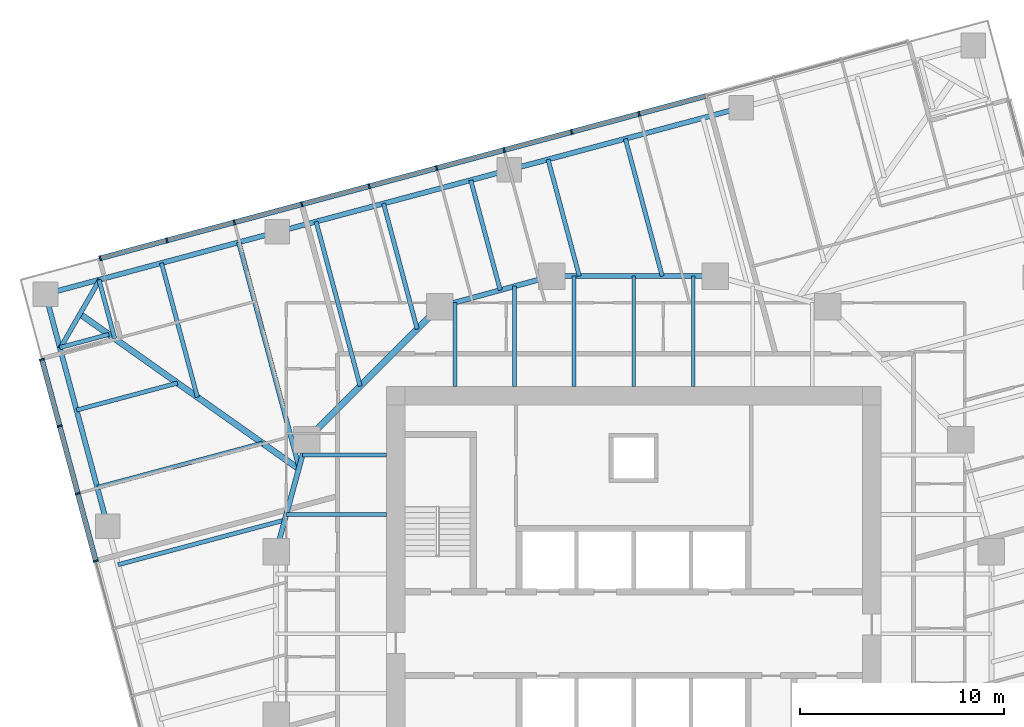
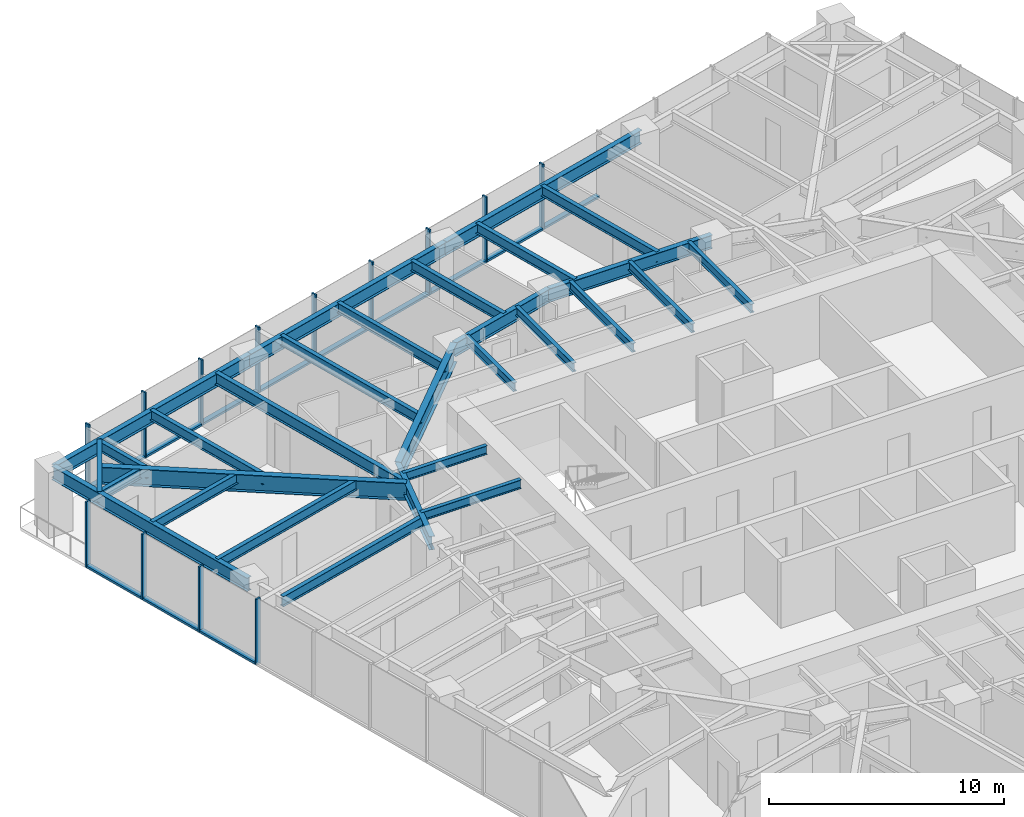
# One storey, part 5 of 14: 29 beams, 25 members, 2 elements without a shape of their own.
"""IFC4 building model written with IfcOpenShell, lengths in metres."""

from ifc_helpers import new_model, si_unit, direction, frame, origin, origin_2d, place, context, subcontext, project, spatial, rectangle, i_section, extrude, material, material_profile, profile_set, type_object, element, aggregate, save


model = new_model("IFC4")

# Units and contexts
model_context = context("Model", 3, precision=1e-05, world=origin(), true_north=direction((0.0, 1.0)))
body_context = subcontext(model_context, "Body", "Model", "MODEL_VIEW")
ifc_project = project(units=[si_unit("LENGTHUNIT", "METRE"), si_unit("AREAUNIT", "SQUARE_METRE"), si_unit("VOLUMEUNIT", "CUBIC_METRE"), si_unit("PLANEANGLEUNIT", "RADIAN"), si_unit("MASSUNIT", "GRAM", prefix="KILO")], contexts=[model_context])

# Site, building, storey
site_placement = place(None, origin())
site = spatial("IfcSite", under=ifc_project, at=site_placement, CompositionType="ELEMENT")
building_placement = place(site_placement, origin())
building = spatial("IfcBuilding", under=site, at=building_placement, Name="Torsade Residences", CompositionType="ELEMENT")
storey_placement = place(building_placement, frame((0.0, 0.0, 121.800048828125)))
storey = spatial("IfcBuildingStorey", under=building, at=storey_placement, Name="L33", CompositionType="ELEMENT", Elevation=121.800048828125)

# Beams
ifc_material_1 = material(Name="Steel grade 300", Category="steel")
ifc_material_profile_1 = material_profile(ifc_material_1, i_section(OverallWidth=0.300048828125, OverallDepth=0.89990234375, WebThickness=0.011962890625, FlangeThickness=0.02490234375, at=origin_2d()), Name="900WB175")
ifc_profile_set_1 = profile_set([ifc_material_profile_1], Name="Steel grade 300")
beam_type_1 = type_object("IfcBeamType", Name="CORNER GIRDER 900WB175", PredefinedType="BEAM", material=ifc_profile_set_1)
beam_1_placement = place(storey_placement, frame((12.902587890625, 45.644775390625, 2.800048828125), z_axis=(0.816261084801, -0.577683167004, 0.0), x_axis=(0.577683167004, 0.816261084801, 0.0)))
element("IfcBeam", 1, at=beam_1_placement, inside=storey, type_object=beam_type_1, Name="Corner girder 13 L34", PredefinedType="BEAM", context=body_context, shape_type="SweptSolid", body=[
    extrude(i_section(OverallWidth=0.300048828125, OverallDepth=0.89990234375, WebThickness=0.011962890625, FlangeThickness=0.02490234375, at=origin_2d()), origin(), (0.0, 0.0, 1.0), 13.116943359375),
])
ifc_material_2 = material(Name="Steel grade 300", Category="steel")
ifc_material_profile_2 = material_profile(ifc_material_2, i_section(OverallWidth=0.22802734375, OverallDepth=0.60205078125, WebThickness=0.010498046875, FlangeThickness=0.014892578125, FilletRadius=0.013916015625, at=origin_2d()), Name="610UB101")
ifc_profile_set_2 = profile_set([ifc_material_profile_2], Name="Steel grade 300")
beam_type_2 = type_object("IfcBeamType", Name="CORNER TRIMMER 610UB101", PredefinedType="BEAM", material=ifc_profile_set_2)
beam_2_placement = place(storey_placement, frame((11.93017578125, 43.960693359375, 2.948974609375), z_axis=(0.499994147244, 0.866028782848, 0.0), x_axis=(-0.866028782848, 0.499994147244, 0.0)))
element("IfcBeam", 2, at=beam_2_placement, inside=storey, type_object=beam_type_2, Name="Corner trimmer 13 L34", PredefinedType="BEAM", context=body_context, shape_type="SweptSolid", body=[
    extrude(i_section(OverallWidth=0.22802734375, OverallDepth=0.60205078125, WebThickness=0.010498046875, FlangeThickness=0.014892578125, FilletRadius=0.013916015625, at=origin_2d()), origin(), (0.0, 0.0, 1.0), 3.88916015625),
])
ifc_material_3 = material(Name="Steel grade 300", Category="steel")
ifc_material_profile_3 = material_profile(ifc_material_3, i_section(OverallWidth=0.25, OverallDepth=0.699951171875, WebThickness=0.010009765625, FlangeThickness=0.02001953125, at=origin_2d()), Name="700WB130")
ifc_profile_set_3 = profile_set([ifc_material_profile_3], Name="Steel grade 300")
beam_type_3 = type_object("IfcBeamType", Name="EDGE BEAM 700WB130", PredefinedType="SPANDREL", material=ifc_profile_set_3)
for number, where, z_axis, x_axis, name in (
    (3, (45.267333984375, 55.740478515625, 2.89990234375), (-0.965922824118, -0.258830249097, 0.0), (0.258830249097, -0.965922824118, 0.0), "Edge beam 10 L34"),
    (4, (33.917724609375, 52.69921875, 2.89990234375), (-0.965928018634, -0.258810863021, 0.0), (0.258810863021, -0.965928018634, 0.0), "Edge beam 11 L34"),
    (5, (22.568115234375, 49.658203125, 2.89990234375), (-0.965922824118, -0.258830249097, 0.0), (0.258830249097, -0.965922824118, 0.0), "Edge beam 12 L34"),
    (6, (11.218505859375, 46.616943359375, 2.89990234375), (0.258810863021, -0.965928018634, 0.0), (0.965928018634, 0.258810863021, 0.0), "Edge beam 13 L34"),
):
    element("IfcBeam", number, at=place(storey_placement, frame(where, z_axis=z_axis, x_axis=x_axis)), inside=storey, type_object=beam_type_3, Name=name, PredefinedType="SPANDREL", context=body_context, shape_type="SweptSolid", body=[
        extrude(i_section(OverallWidth=0.25, OverallDepth=0.699951171875, WebThickness=0.010009765625, FlangeThickness=0.02001953125, at=origin_2d()), origin(), (0.0, 0.0, 1.0), 11.75),
    ])
ifc_material_4 = material(Name="Steel grade 300", Category="steel")
ifc_material_profile_4 = material_profile(ifc_material_4, i_section(OverallWidth=0.18994140625, OverallDepth=0.4541015625, WebThickness=0.008544921875, FlangeThickness=0.0126953125, FilletRadius=0.011474609375, at=origin_2d()), Name="460UB67.1")
ifc_profile_set_4 = profile_set([ifc_material_profile_4], Name="Steel grade 300")
beam_type_4 = type_object("IfcBeamType", Name="INNER FLOOR BEAM 460UB67.1", PredefinedType="JOIST", material=ifc_profile_set_4)
beam_3_placement = place(storey_placement, frame((31.262451171875, 42.10009765625, 3.02294921875), z_axis=(0.0, 1.0, 0.0), x_axis=(-1.0, 0.0, 0.0)))
element("IfcBeam", 7, at=beam_3_placement, inside=storey, type_object=beam_type_4, Name="Inner floor beam IN01 L34", PredefinedType="JOIST", context=body_context, shape_type="SweptSolid", body=[
    extrude(i_section(OverallWidth=0.18994140625, OverallDepth=0.4541015625, WebThickness=0.008544921875, FlangeThickness=0.0126953125, FilletRadius=0.011474609375, at=origin_2d()), origin(), (0.0, 0.0, 1.0), 4.10791015625),
])
beam_4_placement = place(storey_placement, frame((34.175048828125, 42.10009765625, 3.02294921875), z_axis=(0.0, 1.0, 0.0), x_axis=(-1.0, 0.0, 0.0)))
element("IfcBeam", 8, at=beam_4_placement, inside=storey, type_object=beam_type_4, Name="Inner floor beam IN02 L34", PredefinedType="JOIST", context=body_context, shape_type="SweptSolid", body=[
    extrude(i_section(OverallWidth=0.18994140625, OverallDepth=0.4541015625, WebThickness=0.008544921875, FlangeThickness=0.0126953125, FilletRadius=0.011474609375, at=origin_2d()), origin(), (0.0, 0.0, 1.0), 4.902099609375),
])
for number, where, z_axis, x_axis, name in (
    (9, (37.08740234375, 42.10009765625, 3.02294921875), (0.0, 1.0, 0.0), (-1.0, 0.0, 0.0), "Inner floor beam IN03 L34"),
    (10, (40.0, 42.10009765625, 3.02294921875), (0.0, 1.0, 0.0), (-1.0, 0.0, 0.0), "Inner floor beam IN04 L34"),
    (11, (42.91259765625, 42.10009765625, 3.02294921875), (0.0, 1.0, 0.0), (-1.0, 0.0, 0.0), "Inner floor beam IN05 L34"),
):
    element("IfcBeam", number, at=place(storey_placement, frame(where, z_axis=z_axis, x_axis=x_axis)), inside=storey, type_object=beam_type_4, Name=name, PredefinedType="JOIST", context=body_context, shape_type="SweptSolid", body=[
        extrude(i_section(OverallWidth=0.18994140625, OverallDepth=0.4541015625, WebThickness=0.008544921875, FlangeThickness=0.0126953125, FilletRadius=0.011474609375, at=origin_2d()), origin(), (0.0, 0.0, 1.0), 5.39990234375),
    ])
beam_5_placement = place(storey_placement, frame((27.89990234375, 38.737548828125, 3.02294921875), z_axis=(-1.0, 0.0, 0.0), x_axis=(0.0, -1.0, 0.0)))
element("IfcBeam", 12, at=beam_5_placement, inside=storey, type_object=beam_type_4, Name="Inner floor beam IW01 L34", PredefinedType="JOIST", context=body_context, shape_type="SweptSolid", body=[
    extrude(i_section(OverallWidth=0.18994140625, OverallDepth=0.4541015625, WebThickness=0.008544921875, FlangeThickness=0.0126953125, FilletRadius=0.011474609375, at=origin_2d()), origin(), (0.0, 0.0, 1.0), 4.10791015625),
])
beam_6_placement = place(storey_placement, frame((27.89990234375, 35.824951171875, 3.02294921875), z_axis=(-1.0, 0.0, 0.0), x_axis=(0.0, -1.0, 0.0)))
element("IfcBeam", 13, at=beam_6_placement, inside=storey, type_object=beam_type_4, Name="Inner floor beam IW02 L34", PredefinedType="JOIST", context=body_context, shape_type="SweptSolid", body=[
    extrude(i_section(OverallWidth=0.18994140625, OverallDepth=0.4541015625, WebThickness=0.008544921875, FlangeThickness=0.0126953125, FilletRadius=0.011474609375, at=origin_2d()), origin(), (0.0, 0.0, 1.0), 4.902099609375),
])

# Curtain wall, members
ifc_material_5 = material(Name="Aluminium and glass", Category="aluminium")
curtain_wall_type = type_object("IfcCurtainWallType", Name="FRITTED GLASS CURTAIN WALL MID ZONE", PredefinedType="NOTDEFINED", material=ifc_material_5)
curtain_wall_1_placement = place(storey_placement, origin())
curtain_wall_1 = element("IfcCurtainWall", 14, at=curtain_wall_1_placement, inside=storey, type_object=curtain_wall_type, Name="Curtain wall L33 face 7", PredefinedType="NOTDEFINED")
ifc_material_6 = material(Name="Aluminium mullion", Category="aluminium")
ifc_material_profile_5 = material_profile(ifc_material_6, rectangle(XDim=0.25, YDim=0.080078125, at=origin_2d()), Name="MID ZONE CURTAIN WALL MULLION 250x80")
ifc_profile_set_5 = profile_set([ifc_material_profile_5], Name="Aluminium mullion")
member_type_1 = type_object("IfcMemberType", Name="MID ZONE CURTAIN WALL MULLION 250x80", PredefinedType="MULLION", material=ifc_profile_set_5)
member_1_placement = place(storey_placement, frame((40.259521484375, 55.433837890625, 0.0), z_axis=(0.0, 0.0, 1.0), x_axis=(0.258819047783, -0.965925825571, 0.0)))
member_1 = element("IfcMember", 15, at=member_1_placement, type_object=member_type_1, Name="Mullion 5", PredefinedType="MULLION", context=body_context, shape_type="SweptSolid", body=[
    extrude(rectangle(XDim=0.25, YDim=0.080078125, at=origin_2d()), origin(), (0.0, 0.0, 1.0), 3.39990234375),
])
member_2_placement = place(storey_placement, frame((36.959228515625, 54.549560546875, 0.0), z_axis=(0.0, 0.0, 1.0), x_axis=(0.258819047783, -0.965925825571, 0.0)))
member_2 = element("IfcMember", 16, at=member_2_placement, type_object=member_type_1, Name="Mullion 6", PredefinedType="MULLION", context=body_context, shape_type="SweptSolid", body=[
    extrude(rectangle(XDim=0.25, YDim=0.080078125, at=origin_2d()), origin(), (0.0, 0.0, 1.0), 3.39990234375),
])
member_3_placement = place(storey_placement, frame((33.658935546875, 53.665283203125, 0.0), z_axis=(0.0, 0.0, 1.0), x_axis=(0.258819047783, -0.965925825571, 0.0)))
member_3 = element("IfcMember", 17, at=member_3_placement, type_object=member_type_1, Name="Mullion 7", PredefinedType="MULLION", context=body_context, shape_type="SweptSolid", body=[
    extrude(rectangle(XDim=0.25, YDim=0.080078125, at=origin_2d()), origin(), (0.0, 0.0, 1.0), 3.39990234375),
])
member_4_placement = place(storey_placement, frame((30.358642578125, 52.781005859375, 0.0), z_axis=(0.0, 0.0, 1.0), x_axis=(0.258819047783, -0.965925825571, 0.0)))
member_4 = element("IfcMember", 18, at=member_4_placement, type_object=member_type_1, Name="Mullion 8", PredefinedType="MULLION", context=body_context, shape_type="SweptSolid", body=[
    extrude(rectangle(XDim=0.25, YDim=0.080078125, at=origin_2d()), origin(), (0.0, 0.0, 1.0), 3.39990234375),
])
member_5_placement = place(storey_placement, frame((27.058349609375, 51.896484375, 0.0), z_axis=(0.0, 0.0, 1.0), x_axis=(0.258819047783, -0.965925825571, 0.0)))
member_5 = element("IfcMember", 19, at=member_5_placement, type_object=member_type_1, Name="Mullion 9", PredefinedType="MULLION", context=body_context, shape_type="SweptSolid", body=[
    extrude(rectangle(XDim=0.25, YDim=0.080078125, at=origin_2d()), origin(), (0.0, 0.0, 1.0), 3.39990234375),
])
member_6_placement = place(storey_placement, frame((23.75830078125, 51.01220703125, 0.0), z_axis=(0.0, 0.0, 1.0), x_axis=(0.258819047783, -0.965925825571, 0.0)))
member_6 = element("IfcMember", 20, at=member_6_placement, type_object=member_type_1, Name="Mullion 10", PredefinedType="MULLION", context=body_context, shape_type="SweptSolid", body=[
    extrude(rectangle(XDim=0.25, YDim=0.080078125, at=origin_2d()), origin(), (0.0, 0.0, 1.0), 3.39990234375),
])
member_7_placement = place(storey_placement, frame((20.4580078125, 50.1279296875, 0.0), z_axis=(0.0, 0.0, 1.0), x_axis=(0.258819047783, -0.965925825571, 0.0)))
member_7 = element("IfcMember", 21, at=member_7_placement, type_object=member_type_1, Name="Mullion 11", PredefinedType="MULLION", context=body_context, shape_type="SweptSolid", body=[
    extrude(rectangle(XDim=0.25, YDim=0.080078125, at=origin_2d()), origin(), (0.0, 0.0, 1.0), 3.39990234375),
])
member_8_placement = place(storey_placement, frame((17.15771484375, 49.24365234375, 0.0), z_axis=(0.0, 0.0, 1.0), x_axis=(0.258819047783, -0.965925825571, 0.0)))
member_8 = element("IfcMember", 22, at=member_8_placement, type_object=member_type_1, Name="Mullion 12", PredefinedType="MULLION", context=body_context, shape_type="SweptSolid", body=[
    extrude(rectangle(XDim=0.25, YDim=0.080078125, at=origin_2d()), origin(), (0.0, 0.0, 1.0), 3.39990234375),
])
member_9_placement = place(storey_placement, frame((13.89599609375, 48.36962890625, 0.0), z_axis=(0.0, 0.0, 1.0), x_axis=(0.258819047783, -0.965925825571, 0.0)))
member_9 = element("IfcMember", 23, at=member_9_placement, type_object=member_type_1, Name="Mullion 13", PredefinedType="MULLION", context=body_context, shape_type="SweptSolid", body=[
    extrude(rectangle(XDim=0.25, YDim=0.080078125, at=origin_2d()), origin(), (0.0, 0.0, 1.0), 3.39990234375),
])

curtain_wall_2_placement = place(storey_placement, origin())
curtain_wall_2 = element("IfcCurtainWall", 24, at=curtain_wall_2_placement, inside=storey, type_object=curtain_wall_type, Name="Curtain wall L33 face 10", PredefinedType="NOTDEFINED")
member_10_placement = place(storey_placement, frame((11.039306640625, 43.421875, 0.0), z_axis=(0.0, 0.0, 1.0), x_axis=(0.965925825571, 0.258819047783, 0.0)))
member_10 = element("IfcMember", 25, at=member_10_placement, type_object=member_type_1, Name="Mullion 1", PredefinedType="MULLION", context=body_context, shape_type="SweptSolid", body=[
    extrude(rectangle(XDim=0.25, YDim=0.080078125, at=origin_2d()), origin(), (0.0, 0.0, 1.0), 3.39990234375),
])
member_11_placement = place(storey_placement, frame((11.913330078125, 40.16015625, 0.0), z_axis=(0.0, 0.0, 1.0), x_axis=(0.965925825571, 0.258819047783, 0.0)))
member_11 = element("IfcMember", 26, at=member_11_placement, type_object=member_type_1, Name="Mullion 2", PredefinedType="MULLION", context=body_context, shape_type="SweptSolid", body=[
    extrude(rectangle(XDim=0.25, YDim=0.080078125, at=origin_2d()), origin(), (0.0, 0.0, 1.0), 3.39990234375),
])
member_12_placement = place(storey_placement, frame((12.797607421875, 36.85986328125, 0.0), z_axis=(0.0, 0.0, 1.0), x_axis=(0.965925825571, 0.258819047783, 0.0)))
member_12 = element("IfcMember", 27, at=member_12_placement, type_object=member_type_1, Name="Mullion 3", PredefinedType="MULLION", context=body_context, shape_type="SweptSolid", body=[
    extrude(rectangle(XDim=0.25, YDim=0.080078125, at=origin_2d()), origin(), (0.0, 0.0, 1.0), 3.39990234375),
])
member_13_placement = place(storey_placement, frame((13.681884765625, 33.5595703125, 0.0), z_axis=(0.0, 0.0, 1.0), x_axis=(0.965925825571, 0.258819047783, 0.0)))
member_13 = element("IfcMember", 28, at=member_13_placement, type_object=member_type_1, Name="Mullion 4", PredefinedType="MULLION", context=body_context, shape_type="SweptSolid", body=[
    extrude(rectangle(XDim=0.25, YDim=0.080078125, at=origin_2d()), origin(), (0.0, 0.0, 1.0), 3.39990234375),
])

# Member
ifc_material_7 = material(Name="Aluminium transom", Category="aluminium")
ifc_material_profile_6 = material_profile(ifc_material_7, rectangle(XDim=0.25, YDim=0.110107421875, at=origin_2d()), Name="MID ZONE CURTAIN WALL TRANSOM 250x110")
ifc_profile_set_6 = profile_set([ifc_material_profile_6], Name="Aluminium transom")
member_type_2 = type_object("IfcMemberType", Name="MID ZONE CURTAIN WALL TRANSOM 250x110", PredefinedType="USERDEFINED", material=ifc_profile_set_6)
member_14_placement = place(storey_placement, frame((43.52099609375, 56.3076171875, 0.054931640625), z_axis=(-0.965929435155, -0.258805576255, 0.0), x_axis=(0.258805576255, -0.965929435155, 0.0)))
member_14 = element("IfcMember", 29, at=member_14_placement, type_object=member_type_2, Name="Transom 4.1", ObjectType="TRANSOM", PredefinedType="USERDEFINED", context=body_context, shape_type="SweptSolid", body=[
    extrude(rectangle(XDim=0.25, YDim=0.110107421875, at=origin_2d()), origin(), (0.0, 0.0, 1.0), 3.336669921875),
])

member_15_placement = place(storey_placement, frame((40.220703125, 55.42333984375, 0.054931640625), z_axis=(-0.965929435155, -0.258805576255, 0.0), x_axis=(0.258805576255, -0.965929435155, 0.0)))
member_15 = element("IfcMember", 30, at=member_15_placement, type_object=member_type_2, Name="Transom 5.1", ObjectType="TRANSOM", PredefinedType="USERDEFINED", context=body_context, shape_type="SweptSolid", body=[
    extrude(rectangle(XDim=0.25, YDim=0.110107421875, at=origin_2d()), origin(), (0.0, 0.0, 1.0), 3.336669921875),
])

member_16_placement = place(storey_placement, frame((36.920654296875, 54.5390625, 0.054931640625), z_axis=(-0.965934335648, -0.258787285653, 0.0), x_axis=(0.258787285653, -0.965934335648, 0.0)))
member_16 = element("IfcMember", 31, at=member_16_placement, type_object=member_type_2, Name="Transom 6.1", ObjectType="TRANSOM", PredefinedType="USERDEFINED", context=body_context, shape_type="SweptSolid", body=[
    extrude(rectangle(XDim=0.25, YDim=0.110107421875, at=origin_2d()), origin(), (0.0, 0.0, 1.0), 3.3369140625),
])

member_17_placement = place(storey_placement, frame((33.620361328125, 53.65478515625, 0.054931640625), z_axis=(-0.965934335648, -0.258787285653, 0.0), x_axis=(0.258787285653, -0.965934335648, 0.0)))
member_17 = element("IfcMember", 32, at=member_17_placement, type_object=member_type_2, Name="Transom 7.1", ObjectType="TRANSOM", PredefinedType="USERDEFINED", context=body_context, shape_type="SweptSolid", body=[
    extrude(rectangle(XDim=0.25, YDim=0.110107421875, at=origin_2d()), origin(), (0.0, 0.0, 1.0), 3.3369140625),
])

member_18_placement = place(storey_placement, frame((30.320068359375, 52.7705078125, 0.054931640625), z_axis=(-0.965929435155, -0.258805576255, 0.0), x_axis=(0.258805576255, -0.965929435155, 0.0)))
member_18 = element("IfcMember", 33, at=member_18_placement, type_object=member_type_2, Name="Transom 8.1", ObjectType="TRANSOM", PredefinedType="USERDEFINED", context=body_context, shape_type="SweptSolid", body=[
    extrude(rectangle(XDim=0.25, YDim=0.110107421875, at=origin_2d()), origin(), (0.0, 0.0, 1.0), 3.336669921875),
])

member_19_placement = place(storey_placement, frame((27.019775390625, 51.88623046875, 0.054931640625), z_axis=(-0.965929435155, -0.258805576255, 0.0), x_axis=(0.258805576255, -0.965929435155, 0.0)))
member_19 = element("IfcMember", 34, at=member_19_placement, type_object=member_type_2, Name="Transom 9.1", ObjectType="TRANSOM", PredefinedType="USERDEFINED", context=body_context, shape_type="SweptSolid", body=[
    extrude(rectangle(XDim=0.25, YDim=0.110107421875, at=origin_2d()), origin(), (0.0, 0.0, 1.0), 3.336669921875),
])

member_20_placement = place(storey_placement, frame((23.719482421875, 51.001953125, 0.054931640625), z_axis=(-0.965929435155, -0.258805576255, 0.0), x_axis=(0.258805576255, -0.965929435155, 0.0)))
member_20 = element("IfcMember", 35, at=member_20_placement, type_object=member_type_2, Name="Transom 10.1", ObjectType="TRANSOM", PredefinedType="USERDEFINED", context=body_context, shape_type="SweptSolid", body=[
    extrude(rectangle(XDim=0.25, YDim=0.110107421875, at=origin_2d()), origin(), (0.0, 0.0, 1.0), 3.336669921875),
])

member_21_placement = place(storey_placement, frame((20.419189453125, 50.11767578125, 0.054931640625), z_axis=(-0.965929435155, -0.258805576255, 0.0), x_axis=(0.258805576255, -0.965929435155, 0.0)))
member_21 = element("IfcMember", 36, at=member_21_placement, type_object=member_type_2, Name="Transom 11.1", ObjectType="TRANSOM", PredefinedType="USERDEFINED", context=body_context, shape_type="SweptSolid", body=[
    extrude(rectangle(XDim=0.25, YDim=0.110107421875, at=origin_2d()), origin(), (0.0, 0.0, 1.0), 3.336669921875),
])

member_22_placement = place(storey_placement, frame((17.119140625, 49.2333984375, 0.054931640625), z_axis=(-0.965923258633, -0.258828627534, 0.0), x_axis=(0.258828627534, -0.965923258633, 0.0)))
member_22 = element("IfcMember", 37, at=member_22_placement, type_object=member_type_2, Name="Transom 12.1", ObjectType="TRANSOM", PredefinedType="USERDEFINED", context=body_context, shape_type="SweptSolid", body=[
    extrude(rectangle(XDim=0.25, YDim=0.110107421875, at=origin_2d()), origin(), (0.0, 0.0, 1.0), 3.296630859375),
])

aggregate(curtain_wall_1, [member_1, member_2, member_3, member_4, member_5, member_6, member_7, member_8, member_9, member_14, member_15, member_16, member_17, member_18, member_19, member_20, member_21, member_22])

member_23_placement = place(storey_placement, frame((11.0498046875, 43.383056640625, 0.054931640625), z_axis=(0.258828627534, -0.965923258633, 0.0), x_axis=(0.965923258633, 0.258828627534, 0.0)))
member_23 = element("IfcMember", 38, at=member_23_placement, type_object=member_type_2, Name="Transom 1.1", ObjectType="TRANSOM", PredefinedType="USERDEFINED", context=body_context, shape_type="SweptSolid", body=[
    extrude(rectangle(XDim=0.25, YDim=0.110107421875, at=origin_2d()), origin(), (0.0, 0.0, 1.0), 3.296630859375),
])

member_24_placement = place(storey_placement, frame((11.923583984375, 40.12158203125, 0.054931640625), z_axis=(0.258855549498, -0.965916044226, 0.0), x_axis=(0.965916044226, 0.258855549498, 0.0)))
member_24 = element("IfcMember", 39, at=member_24_placement, type_object=member_type_2, Name="Transom 2.1", ObjectType="TRANSOM", PredefinedType="USERDEFINED", context=body_context, shape_type="SweptSolid", body=[
    extrude(rectangle(XDim=0.25, YDim=0.110107421875, at=origin_2d()), origin(), (0.0, 0.0, 1.0), 3.3369140625),
])

member_25_placement = place(storey_placement, frame((12.807861328125, 36.8212890625, 0.054931640625), z_axis=(0.258873844232, -0.96591114124, 0.0), x_axis=(0.96591114124, 0.258873844232, 0.0)))
member_25 = element("IfcMember", 40, at=member_25_placement, type_object=member_type_2, Name="Transom 3.1", ObjectType="TRANSOM", PredefinedType="USERDEFINED", context=body_context, shape_type="SweptSolid", body=[
    extrude(rectangle(XDim=0.25, YDim=0.110107421875, at=origin_2d()), origin(), (0.0, 0.0, 1.0), 3.336669921875),
])

aggregate(curtain_wall_2, [member_10, member_11, member_12, member_13, member_23, member_24, member_25])

# Beams
ifc_material_8 = material(Name="Steel grade 300", Category="steel")
ifc_material_profile_7 = material_profile(ifc_material_8, i_section(OverallWidth=0.300048828125, OverallDepth=1.0, WebThickness=0.01611328125, FlangeThickness=0.028076171875, at=origin_2d()), Name="1000WB215")
ifc_profile_set_7 = profile_set([ifc_material_profile_7], Name="Steel grade 300")
beam_type_5 = type_object("IfcBeamType", Name="RING CORNER GIRDER 1000WB215", PredefinedType="BEAM", material=ifc_profile_set_7)
beam_7_placement = place(storey_placement, frame((30.5, 46.0, 2.75), z_axis=(-0.707106781187, -0.707106781187, 0.0), x_axis=(0.707106781187, -0.707106781187, 0.0)))
element("IfcBeam", 41, at=beam_7_placement, inside=storey, type_object=beam_type_5, Name="Ring girder IR07 L34", PredefinedType="BEAM", context=body_context, shape_type="SweptSolid", body=[
    extrude(i_section(OverallWidth=0.300048828125, OverallDepth=1.0, WebThickness=0.01611328125, FlangeThickness=0.028076171875, at=origin_2d()), origin(), (0.0, 0.0, 1.0), 9.1923828125),
])
ifc_material_9 = material(Name="Steel grade 300", Category="steel")
ifc_material_profile_8 = material_profile(ifc_material_9, i_section(OverallWidth=0.25, OverallDepth=0.699951171875, WebThickness=0.010009765625, FlangeThickness=0.02001953125, at=origin_2d()), Name="700WB130")
ifc_profile_set_8 = profile_set([ifc_material_profile_8], Name="Steel grade 300")
beam_type_6 = type_object("IfcBeamType", Name="RING GIRDER 700WB130", PredefinedType="BEAM", material=ifc_profile_set_8)
beam_8_placement = place(storey_placement, frame((44.0, 47.5, 2.89990234375), z_axis=(-1.0, 0.0, 0.0), x_axis=(0.0, -1.0, 0.0)))
element("IfcBeam", 42, at=beam_8_placement, inside=storey, type_object=beam_type_6, Name="Ring girder IR05 L34", PredefinedType="BEAM", context=body_context, shape_type="SweptSolid", body=[
    extrude(i_section(OverallWidth=0.25, OverallDepth=0.699951171875, WebThickness=0.010009765625, FlangeThickness=0.02001953125, at=origin_2d()), origin(), (0.0, 0.0, 1.0), 8.0),
])
for number, where, z_axis, x_axis, name in (
    (43, (36.0, 47.5, 2.89990234375), (-0.964763821238, -0.263117405792, 0.0), (0.263117405792, -0.964763821238, 0.0), "Ring girder IR06 L34"),
    (44, (24.0, 39.5, 2.89990234375), (-0.263117405792, -0.964763821238, 0.0), (0.964763821238, -0.263117405792, 0.0), "Ring girder IR08 L34"),
):
    element("IfcBeam", number, at=place(storey_placement, frame(where, z_axis=z_axis, x_axis=x_axis)), inside=storey, type_object=beam_type_6, Name=name, PredefinedType="BEAM", context=body_context, shape_type="SweptSolid", body=[
        extrude(i_section(OverallWidth=0.25, OverallDepth=0.699951171875, WebThickness=0.010009765625, FlangeThickness=0.02001953125, at=origin_2d()), origin(), (0.0, 0.0, 1.0), 5.700927734375),
    ])
ifc_material_10 = material(Name="Steel grade 300", Category="steel")
ifc_material_profile_9 = material_profile(ifc_material_10, i_section(OverallWidth=0.208984375, OverallDepth=0.528076171875, WebThickness=0.009521484375, FlangeThickness=0.01318359375, FilletRadius=0.013916015625, at=origin_2d()), Name="530UB82.0")
ifc_profile_set_9 = profile_set([ifc_material_profile_9], Name="Steel grade 300")
beam_type_7 = type_object("IfcBeamType", Name="SECONDARY BEAM 530UB82.0", PredefinedType="JOIST", material=ifc_profile_set_9)
beam_9_placement = place(storey_placement, frame((39.592529296875, 54.2197265625, 2.98583984375), z_axis=(0.258817945835, -0.965926120836, 0.0), x_axis=(0.965926120836, 0.258817945835, 0.0)))
element("IfcBeam", 45, at=beam_9_placement, inside=storey, type_object=beam_type_7, Name="Floor beam FN05 L34", PredefinedType="JOIST", context=body_context, shape_type="SweptSolid", body=[
    extrude(i_section(OverallWidth=0.208984375, OverallDepth=0.528076171875, WebThickness=0.009521484375, FlangeThickness=0.01318359375, FilletRadius=0.013916015625, at=origin_2d()), origin(), (0.0, 0.0, 1.0), 6.956787109375),
])
beam_10_placement = place(storey_placement, frame((35.809326171875, 53.2060546875, 2.98583984375), z_axis=(0.258837996141, -0.965920748174, 0.0), x_axis=(0.965920748174, 0.258837996141, 0.0)))
element("IfcBeam", 46, at=beam_10_placement, inside=storey, type_object=beam_type_7, Name="Floor beam FN06 L34", PredefinedType="JOIST", context=body_context, shape_type="SweptSolid", body=[
    extrude(i_section(OverallWidth=0.208984375, OverallDepth=0.528076171875, WebThickness=0.009521484375, FlangeThickness=0.01318359375, FilletRadius=0.013916015625, at=origin_2d()), origin(), (0.0, 0.0, 1.0), 5.907470703125),
])
beam_11_placement = place(storey_placement, frame((32.026123046875, 52.1923828125, 2.98583984375), z_axis=(0.258829517553, -0.965923020144, 0.0), x_axis=(0.965923020144, 0.258829517553, 0.0)))
element("IfcBeam", 47, at=beam_11_placement, inside=storey, type_object=beam_type_7, Name="Floor beam FN07 L34", PredefinedType="JOIST", context=body_context, shape_type="SweptSolid", body=[
    extrude(i_section(OverallWidth=0.208984375, OverallDepth=0.528076171875, WebThickness=0.009521484375, FlangeThickness=0.01318359375, FilletRadius=0.013916015625, at=origin_2d()), origin(), (0.0, 0.0, 1.0), 5.57275390625),
])
beam_12_placement = place(storey_placement, frame((27.760009765625, 51.04931640625, 2.98583984375), z_axis=(0.258804520856, -0.965929717932, 0.0), x_axis=(0.965929717932, 0.258804520856, 0.0)))
element("IfcBeam", 48, at=beam_12_placement, inside=storey, type_object=beam_type_7, Name="Floor beam FN08 L34", PredefinedType="JOIST", context=body_context, shape_type="SweptSolid", body=[
    extrude(i_section(OverallWidth=0.208984375, OverallDepth=0.528076171875, WebThickness=0.009521484375, FlangeThickness=0.01318359375, FilletRadius=0.013916015625, at=origin_2d()), origin(), (0.0, 0.0, 1.0), 6.360107421875),
])
beam_13_placement = place(storey_placement, frame((24.459716796875, 50.1650390625, 2.98583984375), z_axis=(0.258833232221, -0.96592202475, 0.0), x_axis=(0.96592202475, 0.258833232221, 0.0)))
element("IfcBeam", 49, at=beam_13_placement, inside=storey, type_object=beam_type_7, Name="Floor beam FN09 L34", PredefinedType="JOIST", context=body_context, shape_type="SweptSolid", body=[
    extrude(i_section(OverallWidth=0.208984375, OverallDepth=0.528076171875, WebThickness=0.009521484375, FlangeThickness=0.01318359375, FilletRadius=0.013916015625, at=origin_2d()), origin(), (0.0, 0.0, 1.0), 8.33251953125),
])
beam_14_placement = place(storey_placement, frame((16.893310546875, 48.137451171875, 2.98583984375), z_axis=(0.258814533235, -0.965927035229, 0.0), x_axis=(0.965927035229, 0.258814533235, 0.0)))
element("IfcBeam", 50, at=beam_14_placement, inside=storey, type_object=beam_type_7, Name="Floor beam FN11 L34", PredefinedType="JOIST", context=body_context, shape_type="SweptSolid", body=[
    extrude(i_section(OverallWidth=0.208984375, OverallDepth=0.528076171875, WebThickness=0.009521484375, FlangeThickness=0.01318359375, FilletRadius=0.013916015625, at=origin_2d()), origin(), (0.0, 0.0, 1.0), 6.792724609375),
])
beam_15_placement = place(storey_placement, frame((13.83447265625, 47.31787109375, 2.98583984375), z_axis=(0.258865750242, -0.965913310475, 0.0), x_axis=(0.965913310475, 0.258865750242, 0.0)))
element("IfcBeam", 51, at=beam_15_placement, inside=storey, type_object=beam_type_7, Name="Floor beam FN12 L34", PredefinedType="JOIST", context=body_context, shape_type="SweptSolid", body=[
    extrude(i_section(OverallWidth=0.208984375, OverallDepth=0.528076171875, WebThickness=0.009521484375, FlangeThickness=0.01318359375, FilletRadius=0.013916015625, at=origin_2d()), origin(), (0.0, 0.0, 1.0), 2.980224609375),
])
beam_16_placement = place(storey_placement, frame((11.91943359375, 44.0009765625, 2.98583984375), z_axis=(0.965920834438, 0.258837674225, 0.0), x_axis=(-0.258837674225, 0.965920834438, 0.0)))
element("IfcBeam", 52, at=beam_16_placement, inside=storey, type_object=beam_type_7, Name="Floor beam FW01 L34", PredefinedType="JOIST", context=body_context, shape_type="SweptSolid", body=[
    extrude(i_section(OverallWidth=0.208984375, OverallDepth=0.528076171875, WebThickness=0.009521484375, FlangeThickness=0.01318359375, FilletRadius=0.013916015625, at=origin_2d()), origin(), (0.0, 0.0, 1.0), 2.482666015625),
])
beam_17_placement = place(storey_placement, frame((12.739013671875, 40.942138671875, 2.98583984375), z_axis=(0.965926736728, 0.258815647274, 0.0), x_axis=(-0.258815647274, 0.965926736728, 0.0)))
element("IfcBeam", 53, at=beam_17_placement, inside=storey, type_object=beam_type_7, Name="Floor beam FW02 L34", PredefinedType="JOIST", context=body_context, shape_type="SweptSolid", body=[
    extrude(i_section(OverallWidth=0.208984375, OverallDepth=0.528076171875, WebThickness=0.009521484375, FlangeThickness=0.01318359375, FilletRadius=0.013916015625, at=origin_2d()), origin(), (0.0, 0.0, 1.0), 5.11279296875),
])
beam_18_placement = place(storey_placement, frame((13.752685546875, 37.158935546875, 2.98583984375), z_axis=(0.965924734258, 0.258823120582, 0.0), x_axis=(-0.258823120582, 0.965924734258, 0.0)))
element("IfcBeam", 54, at=beam_18_placement, inside=storey, type_object=beam_type_7, Name="Floor beam FW03 L34", PredefinedType="JOIST", context=body_context, shape_type="SweptSolid", body=[
    extrude(i_section(OverallWidth=0.208984375, OverallDepth=0.528076171875, WebThickness=0.009521484375, FlangeThickness=0.01318359375, FilletRadius=0.013916015625, at=origin_2d()), origin(), (0.0, 0.0, 1.0), 8.365966796875),
])
beam_19_placement = place(storey_placement, frame((14.766357421875, 33.375732421875, 2.98583984375), z_axis=(0.965928701223, 0.258808315464, 0.0), x_axis=(-0.258808315464, 0.965928701223, 0.0)))
element("IfcBeam", 55, at=beam_19_placement, inside=storey, type_object=beam_type_7, Name="Floor beam FW04 L34", PredefinedType="JOIST", context=body_context, shape_type="SweptSolid", body=[
    extrude(i_section(OverallWidth=0.208984375, OverallDepth=0.528076171875, WebThickness=0.009521484375, FlangeThickness=0.01318359375, FilletRadius=0.013916015625, at=origin_2d()), origin(), (0.0, 0.0, 1.0), 8.447509765625),
])
ifc_material_11 = material(Name="Steel grade 300", Category="steel")
ifc_material_profile_10 = material_profile(ifc_material_11, i_section(OverallWidth=0.22900390625, OverallDepth=0.612060546875, WebThickness=0.011962890625, FlangeThickness=0.01953125, FilletRadius=0.013916015625, at=origin_2d()), Name="610UB125")
ifc_profile_set_10 = profile_set([ifc_material_profile_10], Name="Steel grade 300")
beam_type_8 = type_object("IfcBeamType", Name="SECONDARY BEAM 610UB125", PredefinedType="JOIST", material=ifc_profile_set_10)
beam_20_placement = place(storey_placement, frame((20.676513671875, 49.1513671875, 2.94384765625), z_axis=(0.258807068179, -0.965929035417, 0.0), x_axis=(0.965929035417, 0.258807068179, 0.0)))
element("IfcBeam", 56, at=beam_20_placement, inside=storey, type_object=beam_type_8, Name="Floor beam FN10 L34", PredefinedType="JOIST", context=body_context, shape_type="SweptSolid", body=[
    extrude(i_section(OverallWidth=0.22900390625, OverallDepth=0.612060546875, WebThickness=0.011962890625, FlangeThickness=0.01953125, FilletRadius=0.013916015625, at=origin_2d()), origin(), (0.0, 0.0, 1.0), 11.40380859375),
])

save(model, "model.ifc")
